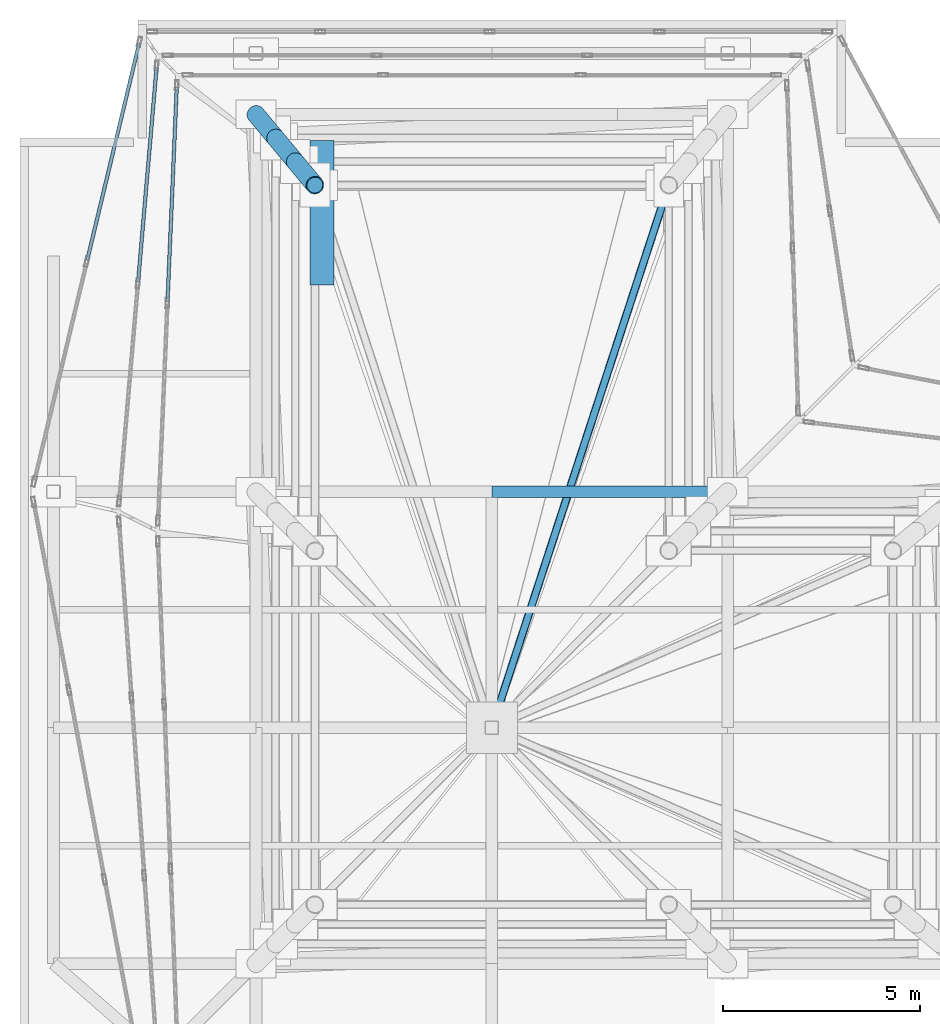
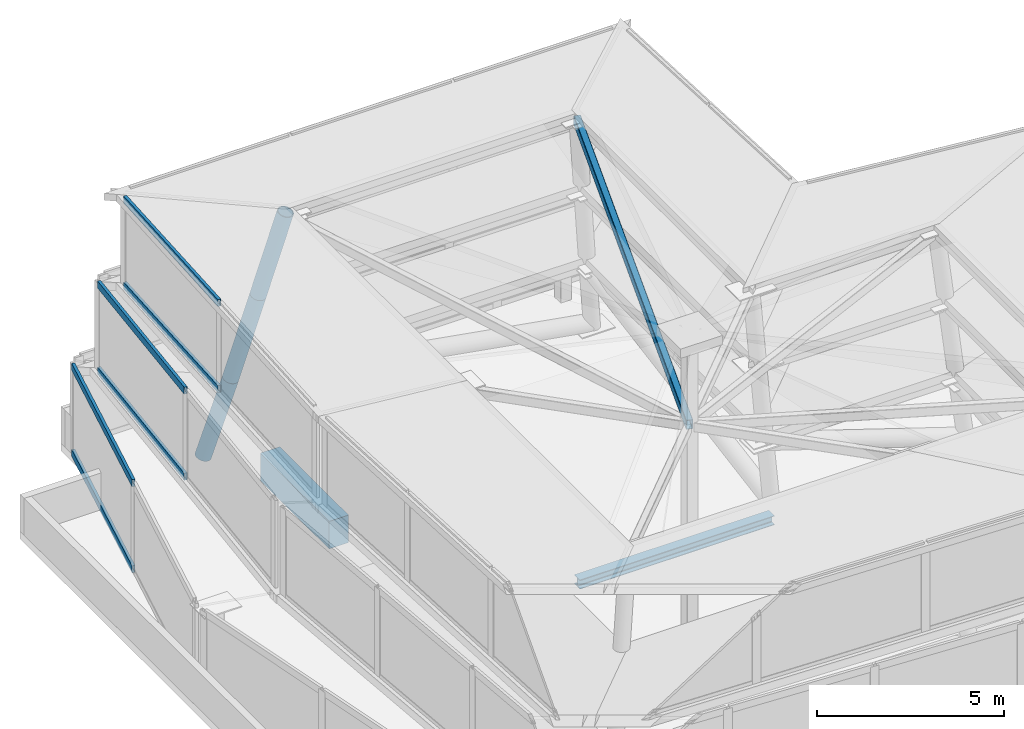
# One storey, part 7 of 15: 9 members, 3 beams, 3 elements without a shape of their own.
"""IFC4 building model written with IfcOpenShell, lengths in metres."""

from ifc_helpers import new_model, si_unit, direction, frame, origin, origin_2d, place, context, subcontext, project, spatial, rectangle, hollow_rectangle, hollow_circle, i_section, extrude, material, layer, layer_set, material_profile, profile_set, type_object, element, aggregate, save


model = new_model("IFC4")

# Units and contexts
model_context = context("Model", 3, precision=1e-05, world=origin(), true_north=direction((0.0, 1.0)))
body_context = subcontext(model_context, "Body", "Model", "MODEL_VIEW")
ifc_project = project(units=[si_unit("LENGTHUNIT", "METRE"), si_unit("AREAUNIT", "SQUARE_METRE"), si_unit("VOLUMEUNIT", "CUBIC_METRE"), si_unit("PLANEANGLEUNIT", "RADIAN"), si_unit("MASSUNIT", "GRAM", prefix="KILO"), si_unit("THERMODYNAMICTEMPERATUREUNIT", "KELVIN"), si_unit("POWERUNIT", "WATT")], contexts=[model_context])

# Site, building, storey
site_placement = place(None, origin())
site = spatial("IfcSite", under=ifc_project, at=site_placement, CompositionType="ELEMENT")
building_placement = place(site_placement, origin())
building = spatial("IfcBuilding", under=site, at=building_placement, Name="Svarakhadi Broadcast Tower", CompositionType="ELEMENT")
storey_placement = place(building_placement, frame((0.0, 0.0, 310.5)))
storey = spatial("IfcBuildingStorey", under=building, at=storey_placement, Name="RF", CompositionType="ELEMENT", Elevation=310.5)

# Curtain wall, members
ifc_material_1 = material(Name="Anodised Bronze Aluminium AA 6063-T6", Category="aluminium")
ifc_layer = layer(ifc_material_1, 0.260009765625)
ifc_layer_set = layer_set([ifc_layer], Name="Anodised Bronze Aluminium AA 6063-T6")
curtain_wall_type = type_object("IfcCurtainWallType", Name="CW_Sys_07", PredefinedType="NOTDEFINED", material=ifc_layer_set)
curtain_wall_1_placement = place(storey_placement, origin())
curtain_wall_1 = element("IfcCurtainWall", 1, at=curtain_wall_1_placement, inside=storey, type_object=curtain_wall_type, Name="Crown Tier 1 Faceted Curtain Wall 7", PredefinedType="NOTDEFINED")
ifc_material_profile_1 = material_profile(ifc_material_1, hollow_rectangle(XDim=0.090087890625, YDim=0.22998046875, WallThickness=0.0048828125, at=origin_2d()), Name="ALU TRANSOM 230x90x5")
ifc_profile_set_1 = profile_set([ifc_material_profile_1], Name="Anodised Bronze Aluminium AA 6063-T6")
member_type_1 = type_object("IfcMemberType", Name="CW_Sys_07_Trn", PredefinedType="USERDEFINED", material=ifc_profile_set_1)
member_1_placement = place(storey_placement, frame((3.02783203125, 29.3984375, 0.044921875), z_axis=(-0.232749716477, -0.972536667422, 0.0), x_axis=(0.972536667422, -0.232749716477, 0.0)))
member_1 = element("IfcMember", 2, at=member_1_placement, type_object=member_type_1, Name="CW-07 transom 1.1", ObjectType="TRANSOM", PredefinedType="USERDEFINED", context=body_context, shape_type="SweptSolid", body=[
    extrude(hollow_rectangle(XDim=0.090087890625, YDim=0.22998046875, WallThickness=0.0048828125, at=origin_2d()), origin(), (0.0, 0.0, 1.0), 5.66015625),
])
member_2_placement = place(storey_placement, frame((3.02783203125, 29.3984375, 2.85498046875), z_axis=(-0.232749716477, -0.972536667422, 0.0), x_axis=(0.972536667422, -0.232749716477, 0.0)))
member_2 = element("IfcMember", 3, at=member_2_placement, type_object=member_type_1, Name="CW-07 transom 1.2", ObjectType="TRANSOM", PredefinedType="USERDEFINED", context=body_context, shape_type="SweptSolid", body=[
    extrude(hollow_rectangle(XDim=0.090087890625, YDim=0.22998046875, WallThickness=0.0048828125, at=origin_2d()), origin(), (0.0, 0.0, 1.0), 5.66015625),
])
aggregate(curtain_wall_1, [member_1, member_2])

curtain_wall_2_placement = place(storey_placement, origin())
curtain_wall_2 = element("IfcCurtainWall", 4, at=curtain_wall_2_placement, inside=storey, type_object=curtain_wall_type, Name="Crown Tier 2 Faceted Curtain Wall 7", PredefinedType="NOTDEFINED")
member_3_placement = place(storey_placement, frame((3.473388671875, 28.791015625, 2.945068359375), z_axis=(-0.085883756095, -0.996305164314, 0.0), x_axis=(0.996305164314, -0.085883756095, 0.0)))
member_3 = element("IfcMember", 5, at=member_3_placement, type_object=member_type_1, Name="CW-07 transom 1.1", ObjectType="TRANSOM", PredefinedType="USERDEFINED", context=body_context, shape_type="SweptSolid", body=[
    extrude(hollow_rectangle(XDim=0.090087890625, YDim=0.22998046875, WallThickness=0.0048828125, at=origin_2d()), origin(), (0.0, 0.0, 1.0), 5.466552734375),
])
member_4_placement = place(storey_placement, frame((3.473388671875, 28.791015625, 5.7548828125), z_axis=(-0.085883756095, -0.996305164314, 0.0), x_axis=(0.996305164314, -0.085883756095, 0.0)))
member_4 = element("IfcMember", 6, at=member_4_placement, type_object=member_type_1, Name="CW-07 transom 1.2", ObjectType="TRANSOM", PredefinedType="USERDEFINED", context=body_context, shape_type="SweptSolid", body=[
    extrude(hollow_rectangle(XDim=0.090087890625, YDim=0.22998046875, WallThickness=0.0048828125, at=origin_2d()), origin(), (0.0, 0.0, 1.0), 5.466552734375),
])
aggregate(curtain_wall_2, [member_3, member_4])

curtain_wall_3_placement = place(storey_placement, origin())
curtain_wall_3 = element("IfcCurtainWall", 7, at=curtain_wall_3_placement, inside=storey, type_object=curtain_wall_type, Name="Crown Tier 3 Faceted Curtain Wall 7", PredefinedType="NOTDEFINED")
member_5_placement = place(storey_placement, frame((3.986572265625, 28.290283203125, 5.844970703125), z_axis=(-0.043046503763, -0.999073069657, 0.0), x_axis=(0.999073069657, -0.043046503763, 0.0)))
member_5 = element("IfcMember", 8, at=member_5_placement, type_object=member_type_1, Name="CW-07 transom 1.1", ObjectType="TRANSOM", PredefinedType="USERDEFINED", context=body_context, shape_type="SweptSolid", body=[
    extrude(hollow_rectangle(XDim=0.090087890625, YDim=0.22998046875, WallThickness=0.0048828125, at=origin_2d()), origin(), (0.0, 0.0, 1.0), 5.450439453125),
])
member_6_placement = place(storey_placement, frame((3.986572265625, 28.290283203125, 8.655029296875), z_axis=(-0.043046503763, -0.999073069657, 0.0), x_axis=(0.999073069657, -0.043046503763, 0.0)))
member_6 = element("IfcMember", 9, at=member_6_placement, type_object=member_type_1, Name="CW-07 transom 1.2", ObjectType="TRANSOM", PredefinedType="USERDEFINED", context=body_context, shape_type="SweptSolid", body=[
    extrude(hollow_rectangle(XDim=0.090087890625, YDim=0.22998046875, WallThickness=0.0048828125, at=origin_2d()), origin(), (0.0, 0.0, 1.0), 5.450439453125),
])
aggregate(curtain_wall_3, [member_5, member_6])

# Beam
ifc_material_2 = material(Name="Concrete C50/60 (IS 456 M60)", Category="concrete")
ifc_material_profile_2 = material_profile(ifc_material_2, rectangle(XDim=0.60009765625, YDim=0.89990234375, at=origin_2d()), Name="RC 600x900")
ifc_profile_set_2 = profile_set([ifc_material_profile_2], Name="Concrete C50/60 (IS 456 M60)")
beam_type_1 = type_object("IfcBeamType", Name="Coupling_RC600", PredefinedType="USERDEFINED", material=ifc_profile_set_2)
beam_1_placement = place(storey_placement, frame((7.679931640625, 23.260009765625, -0.449951171875), z_axis=(0.0, 1.0, 0.0), x_axis=(-1.0, 0.0, 0.0)))
element("IfcBeam", 10, at=beam_1_placement, inside=storey, type_object=beam_type_1, Name="RF Stair ST-01 Landing Throat Trimmer Beam CB-01", ObjectType="GIRDER", PredefinedType="USERDEFINED", context=body_context, shape_type="SweptSolid", body=[
    extrude(rectangle(XDim=0.60009765625, YDim=0.89990234375, at=origin_2d()), origin(), (0.0, 0.0, 1.0), 3.679931640625),
])

# Members
ifc_material_3 = material(Name="Steel S460ML (IS 2062 E450BR)", Category="steel")
ifc_material_profile_3 = material_profile(ifc_material_3, hollow_circle(Radius=0.228515625, WallThickness=0.02490234375, at=origin_2d()), Name="CHS 457x25")
ifc_profile_set_3 = profile_set([ifc_material_profile_3], Name="Steel S460ML (IS 2062 E450BR)")
member_type_2 = type_object("IfcMemberType", Name="Crown_Spire_CHS457", PredefinedType="BRACE", material=ifc_profile_set_3)
member_7_placement = place(storey_placement, frame((6.0, 27.60009765625, 0.0), z_axis=(0.176684425818, -0.212055819659, 0.961152923848), x_axis=(0.768272516483, 0.640122910398, 0.0)))
element("IfcMember", 11, at=member_7_placement, inside=storey, type_object=member_type_2, Name="Crown Structural Spire Frame Chord SL-01-07", PredefinedType="BRACE", context=body_context, shape_type="SweptSolid", body=[
    extrude(hollow_circle(Radius=0.228515625, WallThickness=0.02490234375, at=origin_2d()), origin(), (0.0, 0.0, 1.0), 2.829833984375),
])
member_8_placement = place(storey_placement, frame((6.5, 27.0, 2.719970703125), z_axis=(0.166472867918, -0.199799955734, 0.965591405272), x_axis=(0.768272516483, 0.640122910398, 0.0)))
element("IfcMember", 12, at=member_8_placement, inside=storey, type_object=member_type_2, Name="Crown Structural Spire Frame Chord SL-01-15", PredefinedType="BRACE", context=body_context, shape_type="SweptSolid", body=[
    extrude(hollow_circle(Radius=0.228515625, WallThickness=0.02490234375, at=origin_2d()), origin(), (0.0, 0.0, 1.0), 3.00341796875),
])
member_9_placement = place(storey_placement, frame((7.0, 26.39990234375, 5.6201171875), z_axis=(0.166488638953, -0.199737590775, 0.965601588613), x_axis=(0.768144396579, 0.640276648024, 0.0)))
element("IfcMember", 13, at=member_9_placement, inside=storey, type_object=member_type_2, Name="Crown Structural Spire Frame Chord SL-01-23", PredefinedType="BRACE", context=body_context, shape_type="SweptSolid", body=[
    extrude(hollow_circle(Radius=0.228515625, WallThickness=0.02490234375, at=origin_2d()), origin(), (0.0, 0.0, 1.0), 3.003173828125),
])

# Beams
ifc_material_4 = material(Name="Steel S355J2 (IS 2062 E350C)", Category="steel")
ifc_material_profile_4 = material_profile(ifc_material_4, i_section(OverallWidth=0.300048828125, OverallDepth=0.300048828125, WebThickness=0.010986328125, FlangeThickness=0.01904296875, FilletRadius=0.027099609375, at=origin_2d()), Name="WPB 300x300x117")
ifc_profile_set_4 = profile_set([ifc_material_profile_4], Name="Steel S355J2 (IS 2062 E350C)")
beam_type_2 = type_object("IfcBeamType", Name="Girder_WPB300", PredefinedType="USERDEFINED", material=ifc_profile_set_4)
beam_2_placement = place(storey_placement, frame((12.0, 18.0, -0.39990234375), z_axis=(1.0, 0.0, 0.0), x_axis=(0.0, 1.0, 0.0)))
element("IfcBeam", 14, at=beam_2_placement, inside=storey, type_object=beam_type_2, Name="RF Primary E-W Girder G019", ObjectType="GIRDER", PredefinedType="USERDEFINED", context=body_context, shape_type="SweptSolid", body=[
    extrude(i_section(OverallWidth=0.300048828125, OverallDepth=0.300048828125, WebThickness=0.010986328125, FlangeThickness=0.01904296875, FilletRadius=0.027099609375, at=origin_2d()), origin(), (0.0, 0.0, 1.0), 6.0),
])
ifc_material_profile_5 = material_profile(ifc_material_3, hollow_rectangle(XDim=0.199951171875, YDim=0.300048828125, WallThickness=0.012451171875, InnerFilletRadius=0.012451171875, OuterFilletRadius=0.02490234375, at=origin_2d()), Name="RHS 300x200x12.5")
ifc_profile_set_5 = profile_set([ifc_material_profile_5], Name="Steel S460ML (IS 2062 E450BR)")
beam_type_3 = type_object("IfcBeamType", Name="Spandrel_RHS300", PredefinedType="SPANDREL", material=ifc_profile_set_5)
beam_3_placement = place(storey_placement, frame((16.5, 25.800048828125, 8.3701171875), z_axis=(-0.310019608327, -0.950730162797, 0.0), x_axis=(0.950730162797, -0.310019608327, 0.0)))
element("IfcBeam", 15, at=beam_3_placement, inside=storey, type_object=beam_type_3, Name="Crown Tier 3 Radial Spoke Beam CR-SP06", PredefinedType="SPANDREL", context=body_context, shape_type="SweptSolid", body=[
    extrude(hollow_rectangle(XDim=0.199951171875, YDim=0.300048828125, WallThickness=0.012451171875, InnerFilletRadius=0.012451171875, OuterFilletRadius=0.02490234375, at=origin_2d()), origin(), (0.0, 0.0, 1.0), 14.51513671875),
])

save(model, "model.ifc")
